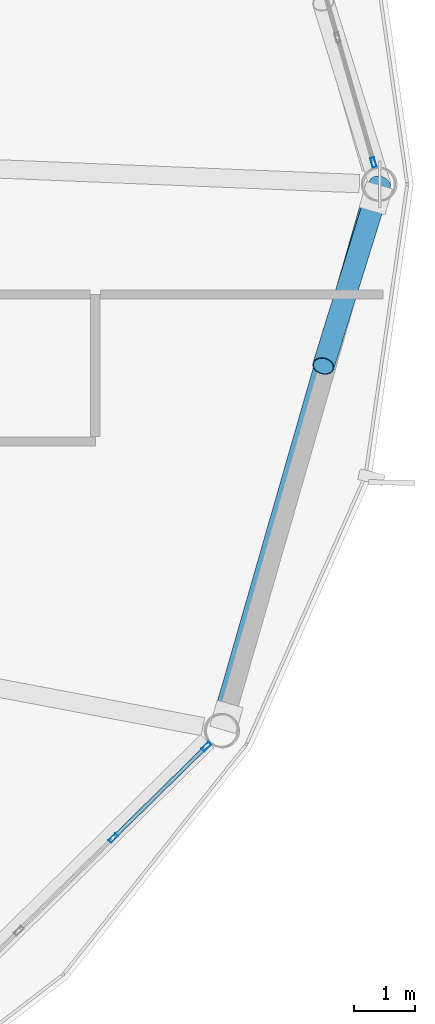
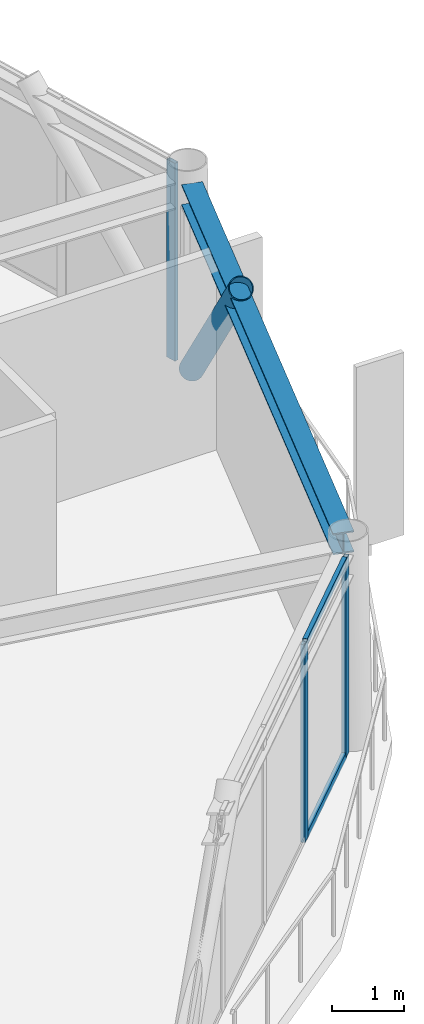
# One storey, part 15 of 25: 6 members, 1 beam, 2 elements without a shape of their own.
"""IFC4 building model written with IfcOpenShell, lengths in metres."""

from ifc_helpers import new_model, si_unit, direction, frame, origin, origin_2d, place, context, subcontext, project, spatial, hollow_rectangle, hollow_circle, i_section, extrude, material, layer, layer_set, material_profile, profile_set, type_object, element, aggregate, save


model = new_model("IFC4")

# Units and contexts
model_context = context("Model", 3, precision=1e-05, world=origin(), true_north=direction((0.0, 1.0)))
body_context = subcontext(model_context, "Body", "Model", "MODEL_VIEW")
ifc_project = project(units=[si_unit("LENGTHUNIT", "METRE"), si_unit("AREAUNIT", "SQUARE_METRE"), si_unit("VOLUMEUNIT", "CUBIC_METRE"), si_unit("PLANEANGLEUNIT", "RADIAN"), si_unit("MASSUNIT", "GRAM", prefix="KILO")], contexts=[model_context])

# Site, building, storey
site_placement = place(None, origin())
site = spatial("IfcSite", under=ifc_project, at=site_placement, CompositionType="ELEMENT")
building_placement = place(site_placement, origin())
building = spatial("IfcBuilding", under=site, at=building_placement, Name="Varnakorn Sky Granary", CompositionType="ELEMENT")
storey_placement = place(building_placement, frame((0.0, 0.0, 259.800048828125)))
storey = spatial("IfcBuildingStorey", under=building, at=storey_placement, Name="L66", CompositionType="ELEMENT", Elevation=259.800048828125)

# Beam
ifc_material_1 = material(Name="Steel S355JR", Category="steel")
ifc_material_profile_1 = material_profile(ifc_material_1, i_section(OverallWidth=0.300048828125, OverallDepth=0.360107421875, WebThickness=0.012451171875, FlangeThickness=0.0224609375, at=origin_2d()), Name="HE 360 B")
ifc_profile_set_1 = profile_set([ifc_material_profile_1], Name="Steel S355JR")
beam_type = type_object("IfcBeamType", Name="BM-SPD-Z5", PredefinedType="SPANDREL", material=ifc_profile_set_1)
beam_placement = place(storey_placement, frame((20.588623046875, -8.646728515625, 3.179931640625), z_axis=(0.276253195, 0.961084893364, 0.0), x_axis=(-0.961084893364, 0.276253195, 0.0)))
element("IfcBeam", 1, at=beam_placement, inside=storey, type_object=beam_type, Name="Perimeter Spandrel Ring Beam RB12 L66", PredefinedType="SPANDREL", context=body_context, shape_type="SweptSolid", body=[
    extrude(i_section(OverallWidth=0.300048828125, OverallDepth=0.360107421875, WebThickness=0.012451171875, FlangeThickness=0.0224609375, at=origin_2d()), origin(), (0.0, 0.0, 1.0), 8.732421875),
])

# Curtain wall, member
ifc_material_2 = material(Name="Anodised Bronze Aluminium Alloy 6063-T6", Category="aluminium")
ifc_layer = layer(ifc_material_2, 0.159912109375, Name="Anodised Bronze Aluminium Alloy 6063-T6")
ifc_layer_set = layer_set([ifc_layer], Name="Anodised Bronze Aluminium Alloy 6063-T6")
curtain_wall_type = type_object("IfcCurtainWallType", Name="CW-OFF-1", PredefinedType="USERDEFINED", material=ifc_layer_set)
curtain_wall_1_placement = place(storey_placement, origin())
curtain_wall_1 = element("IfcCurtainWall", 2, at=curtain_wall_1_placement, inside=storey, type_object=curtain_wall_type, Name="Unitised Curtain Wall CW6 CW-L66-B01", ObjectType="CURTAIN WALL", PredefinedType="USERDEFINED")
ifc_material_profile_2 = material_profile(ifc_material_2, hollow_rectangle(XDim=0.06494140625, YDim=0.159912109375, WallThickness=0.00341796875, at=origin_2d()), Name="ALU MULL 65x160")
ifc_profile_set_2 = profile_set([ifc_material_profile_2], Name="Anodised Bronze Aluminium Alloy 6063-T6")
member_type_1 = type_object("IfcMemberType", Name="CW-OFF-1-MULL", PredefinedType="MULLION", material=ifc_profile_set_2)
member_1_placement = place(storey_placement, frame((23.0390625, 0.357421875, 0.0), z_axis=(0.0, 0.0, 1.0), x_axis=(0.960963029638, 0.27667680725, 0.0)))
member_1 = element("IfcMember", 3, at=member_1_placement, type_object=member_type_1, Name="CW6 mullion 5", PredefinedType="MULLION", context=body_context, shape_type="SweptSolid", body=[
    extrude(hollow_rectangle(XDim=0.06494140625, YDim=0.159912109375, WallThickness=0.00341796875, at=origin_2d()), origin(), (0.0, 0.0, 1.0), 3.35986328125),
])
aggregate(curtain_wall_1, [member_1])

# Curtain wall, members
curtain_wall_2_placement = place(storey_placement, origin())
curtain_wall_2 = element("IfcCurtainWall", 4, at=curtain_wall_2_placement, inside=storey, type_object=curtain_wall_type, Name="Unitised Curtain Wall CW6 CW-L66-B11", ObjectType="CURTAIN WALL", PredefinedType="USERDEFINED")
member_2_placement = place(storey_placement, frame((20.30908203125, -9.1787109375, 0.0), z_axis=(0.0, 0.0, 1.0), x_axis=(0.700774417108, -0.713382938068, 0.0)))
member_2 = element("IfcMember", 5, at=member_2_placement, type_object=member_type_1, Name="CW6 mullion 1", PredefinedType="MULLION", context=body_context, shape_type="SweptSolid", body=[
    extrude(hollow_rectangle(XDim=0.06494140625, YDim=0.159912109375, WallThickness=0.00341796875, at=origin_2d()), origin(), (0.0, 0.0, 1.0), 3.35986328125),
])
member_3_placement = place(storey_placement, frame((18.791748046875, -10.6689453125, 0.0), z_axis=(0.0, 0.0, 1.0), x_axis=(0.700774417108, -0.713382938068, 0.0)))
member_3 = element("IfcMember", 6, at=member_3_placement, type_object=member_type_1, Name="CW6 mullion 2", PredefinedType="MULLION", context=body_context, shape_type="SweptSolid", body=[
    extrude(hollow_rectangle(XDim=0.06494140625, YDim=0.159912109375, WallThickness=0.00341796875, at=origin_2d()), origin(), (0.0, 0.0, 1.0), 3.35986328125),
])
ifc_material_profile_3 = material_profile(ifc_material_2, hollow_rectangle(XDim=0.06494140625, YDim=0.1201171875, WallThickness=0.00341796875, at=origin_2d()), Name="ALU TRAN 65x120")
ifc_profile_set_3 = profile_set([ifc_material_profile_3], Name="Anodised Bronze Aluminium Alloy 6063-T6")
member_type_2 = type_object("IfcMemberType", Name="CW-OFF-1-TRAN", PredefinedType="USERDEFINED", material=ifc_profile_set_3)
member_4_placement = place(storey_placement, frame((20.285888671875, -9.201416015625, 0.032470703125), z_axis=(-0.713413277068, -0.700743530903, 0.0), x_axis=(0.700743530903, -0.713413277068, 0.0)))
member_4 = element("IfcMember", 7, at=member_4_placement, type_object=member_type_2, Name="CW6 transom 1.1", ObjectType="TRANSOM", PredefinedType="USERDEFINED", context=body_context, shape_type="SweptSolid", body=[
    extrude(hollow_rectangle(XDim=0.06494140625, YDim=0.1201171875, WallThickness=0.00341796875, at=origin_2d()), origin(), (0.0, 0.0, 1.0), 2.061767578125),
])
member_5_placement = place(storey_placement, frame((20.285888671875, -9.201416015625, 3.327392578125), z_axis=(-0.713413277068, -0.700743530903, 0.0), x_axis=(0.700743530903, -0.713413277068, 0.0)))
member_5 = element("IfcMember", 8, at=member_5_placement, type_object=member_type_2, Name="CW6 transom 1.2", ObjectType="TRANSOM", PredefinedType="USERDEFINED", context=body_context, shape_type="SweptSolid", body=[
    extrude(hollow_rectangle(XDim=0.06494140625, YDim=0.1201171875, WallThickness=0.00341796875, at=origin_2d()), origin(), (0.0, 0.0, 1.0), 2.061767578125),
])
aggregate(curtain_wall_2, [member_2, member_3, member_4, member_5])

# Member
ifc_material_3 = material(Name="Steel S460M", Category="steel")
ifc_material_profile_4 = material_profile(ifc_material_3, hollow_circle(Radius=0.177734375, WallThickness=0.01416015625, at=origin_2d()), Name="CHS 355.6x14")
ifc_profile_set_4 = profile_set([ifc_material_profile_4], Name="Steel S460M")
member_type_3 = type_object("IfcMemberType", Name="MB-DIAG-T5", PredefinedType="BRACE", material=ifc_profile_set_4)
member_6_placement = place(storey_placement, frame((23.14208984375, 0.0, 0.0), z_axis=(-0.197092801212, -0.635012940915, 0.746935735241), x_axis=(0.955055698231, -0.296426404487, 0.0)))
element("IfcMember", 9, at=member_6_placement, inside=storey, type_object=member_type_3, Name="Perimeter CHS Diagrid Brace DG12 L66", PredefinedType="BRACE", context=body_context, shape_type="SweptSolid", body=[
    extrude(hollow_circle(Radius=0.177734375, WallThickness=0.01416015625, at=origin_2d()), origin(), (0.0, 0.0, 1.0), 4.67236328125),
])

save(model, "model.ifc")
